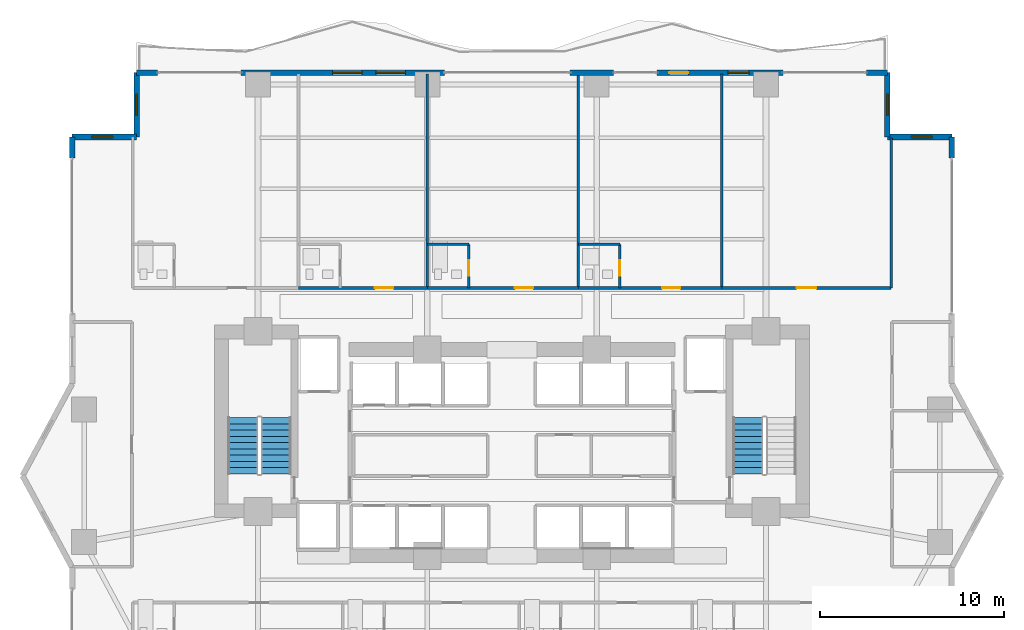
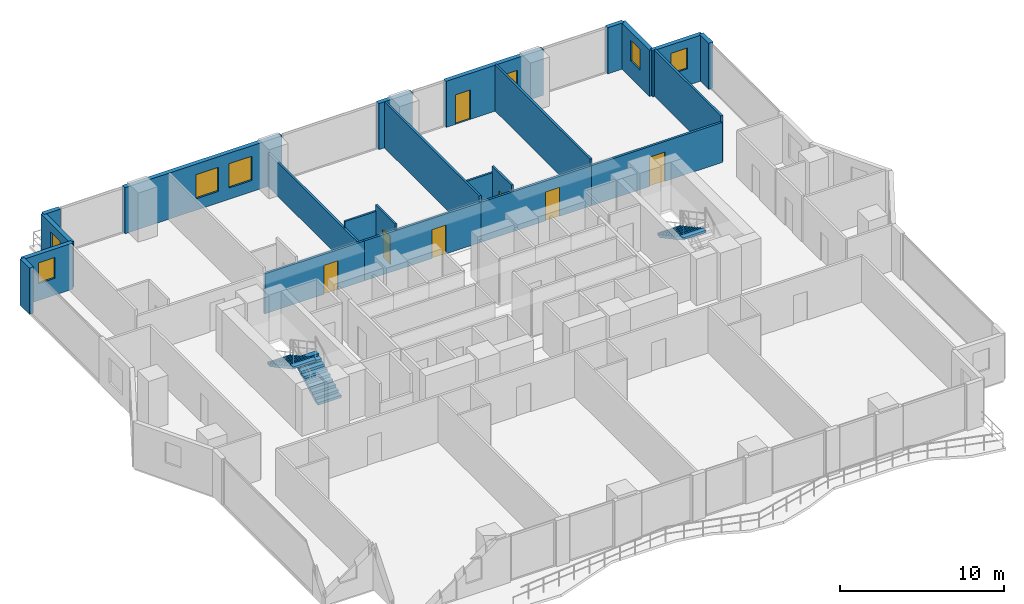
# One storey, part 23 of 28: 23 walls, 7 doors, 7 windows, 3 stair flights, 14 openings, 2 elements without a shape of their own.
"""IFC4 building model written with IfcOpenShell, lengths in metres."""

from ifc_helpers import new_model, si_unit, direction, frame, frame_2d, origin, place, context, subcontext, project, spatial, polyline, rectangle, outline, extrude, material, layer, layer_set, type_object, element, fill, aggregate, save


model = new_model("IFC4")

# Units and contexts
model_context = context("Model", 3, precision=1e-05, world=origin(), true_north=direction((0.0, 1.0)))
body_context = subcontext(model_context, "Body", "Model", "MODEL_VIEW")
ifc_project = project(units=[si_unit("LENGTHUNIT", "METRE"), si_unit("AREAUNIT", "SQUARE_METRE"), si_unit("VOLUMEUNIT", "CUBIC_METRE"), si_unit("PLANEANGLEUNIT", "RADIAN"), si_unit("MASSUNIT", "GRAM", prefix="KILO")], contexts=[model_context])

# Site, building, storey
site_placement = place(None, origin())
site = spatial("IfcSite", under=ifc_project, at=site_placement, CompositionType="ELEMENT")
building_placement = place(site_placement, origin())
building = spatial("IfcBuilding", under=site, at=building_placement, Name="Zuhayl Quay Hotel", CompositionType="ELEMENT")
storey_placement = place(building_placement, frame((0.0, 0.0, 121.199951171875)))
storey = spatial("IfcBuildingStorey", under=building, at=storey_placement, Name="L30", CompositionType="ELEMENT", Elevation=121.199951171875)

# Wall
ifc_material_1 = material(Name="Precast concrete C45/55", Category="concrete")
ifc_layer_1 = layer(ifc_material_1, 0.300048828125, Name="Precast concrete C45/55", Category="concrete")
ifc_layer_set_1 = layer_set([ifc_layer_1], Name="Precast concrete C45/55")
wall_type_1 = type_object("IfcWallType", Name="WL_EXT_300", PredefinedType="STANDARD", material=ifc_layer_set_1)
wall_1_placement = place(storey_placement, frame((-23.89990234375, 23.75, 0.0), z_axis=(0.0, 0.0, 1.0), x_axis=(0.0, 1.0, 0.0)))
element("IfcWall", 1, at=wall_1_placement, inside=storey, type_object=wall_type_1, Name="L30 Exterior Precast Wall ENV_L30_E05_EW2", PredefinedType="STANDARD", context=body_context, shape_type="SweptSolid", body=[
    extrude(rectangle(XDim=1.14990234375, YDim=0.300048828125, at=frame_2d((0.574951171875, 0.0))), origin(), (0.0, 0.0, 1.0), 3.429931640625),
])

# Wall, opening, window
wall_2_placement = place(storey_placement, frame((-23.89990234375, 24.89990234375, 0.0), z_axis=(0.0, 0.0, 1.0), x_axis=(1.0, 0.0, 0.0)))
wall_2 = element("IfcWall", 2, at=wall_2_placement, inside=storey, type_object=wall_type_1, Name="L30 Exterior Precast Wall ENV_L30_EW06", PredefinedType="STANDARD", context=body_context, shape_type="SweptSolid", body=[
    extrude(rectangle(XDim=3.5, YDim=0.300048828125, at=frame_2d((1.75, 0.0))), origin(), (0.0, 0.0, 1.0), 3.429931640625),
])
opening_1_placement = place(wall_2_placement, frame((1.06494140625, 0.0, 1.25)))
opening_1 = element("IfcOpeningElement", 3, at=opening_1_placement, cuts=wall_2, Name="Opening W01N", PredefinedType="OPENING", context=body_context, shape_type="SweptSolid", body=[
    extrude(rectangle(XDim=1.14990234375, YDim=1.550048828125, at=frame_2d((0.574951171875, 0.77490234375))), frame((0.0, 0.159912109375, 0.0), z_axis=(0.0, -1.0, 0.0), x_axis=(1.0, 0.0, 0.0)), (0.0, 0.0, 1.0), 0.320068359375),
])
ifc_material_2 = material(Name="Dark Ceramic-Fritted Solar Glass", Category="glass")
window_type_1 = type_object("IfcWindowType", Name="WN_NOTCH_1350", PartitioningType="SINGLE_PANEL", PredefinedType="WINDOW", material=ifc_material_2)
window_1_placement = place(opening_1_placement, origin())
window_1 = element("IfcWindow", 4, at=window_1_placement, inside=storey, type_object=window_type_1, Name="L30 Corner Notch Window 6", OverallHeight=1.550048828125, OverallWidth=1.14990234375, PartitioningType="SINGLE_PANEL", PredefinedType="WINDOW", context=body_context, shape_type="SweptSolid", body=[
    extrude(rectangle(XDim=1.14990234375, YDim=1.550048828125, at=frame_2d((0.574951171875, 0.77490234375))), frame((0.0, 0.030029296875, 0.0), z_axis=(0.0, -1.0, 0.0), x_axis=(1.0, 0.0, 0.0)), (0.0, 0.0, 1.0), 0.06005859375),
])
fill(opening_1, window_1)

wall_3_placement = place(storey_placement, frame((-20.39990234375, 24.89990234375, 0.0), z_axis=(0.0, 0.0, 1.0), x_axis=(0.0, 1.0, 0.0)))
wall_3 = element("IfcWall", 5, at=wall_3_placement, inside=storey, type_object=wall_type_1, Name="L30 Exterior Precast Wall ENV_L30_EW07", PredefinedType="STANDARD", context=body_context, shape_type="SweptSolid", body=[
    extrude(rectangle(XDim=3.5, YDim=0.300048828125, at=frame_2d((1.75, 0.0))), origin(), (0.0, 0.0, 1.0), 3.429931640625),
])
opening_2_placement = place(wall_3_placement, frame((1.18505859375, 0.0, 1.25)))
opening_2 = element("IfcOpeningElement", 6, at=opening_2_placement, cuts=wall_3, Name="Opening W01N", PredefinedType="OPENING", context=body_context, shape_type="SweptSolid", body=[
    extrude(rectangle(XDim=1.14990234375, YDim=1.550048828125, at=frame_2d((0.574951171875, 0.77490234375))), frame((0.0, 0.159912109375, 0.0), z_axis=(0.0, -1.0, 0.0), x_axis=(1.0, 0.0, 0.0)), (0.0, 0.0, 1.0), 0.320068359375),
])
window_2_placement = place(opening_2_placement, origin())
window_2 = element("IfcWindow", 7, at=window_2_placement, inside=storey, type_object=window_type_1, Name="L30 Corner Notch Window 7", OverallHeight=1.550048828125, OverallWidth=1.14990234375, PartitioningType="SINGLE_PANEL", PredefinedType="WINDOW", context=body_context, shape_type="SweptSolid", body=[
    extrude(rectangle(XDim=1.14990234375, YDim=1.550048828125, at=frame_2d((0.574951171875, 0.77490234375))), frame((0.0, 0.030029296875, 0.0), z_axis=(0.0, -1.0, 0.0), x_axis=(1.0, 0.0, 0.0)), (0.0, 0.0, 1.0), 0.06005859375),
])
fill(opening_2, window_2)

# Wall
wall_4_placement = place(storey_placement, frame((-20.39990234375, 28.39990234375, 0.0), z_axis=(0.0, 0.0, 1.0), x_axis=(1.0, 0.0, 0.0)))
element("IfcWall", 8, at=wall_4_placement, inside=storey, type_object=wall_type_1, Name="L30 Exterior Precast Wall ENV_L30_N_EW1", PredefinedType="STANDARD", context=body_context, shape_type="SweptSolid", body=[
    extrude(rectangle(XDim=1.14990234375, YDim=0.300048828125, at=frame_2d((0.574951171875, 0.0))), origin(), (0.0, 0.0, 1.0), 3.429931640625),
])

# Wall, openings, windows
wall_5_placement = place(storey_placement, frame((-14.719970703125, 28.39990234375, 0.0), z_axis=(0.0, 0.0, 1.0), x_axis=(1.0, 0.0, 0.0)))
wall_5 = element("IfcWall", 9, at=wall_5_placement, inside=storey, type_object=wall_type_1, Name="L30 Exterior Precast Wall ENV_L30_N_EW2", PredefinedType="STANDARD", context=body_context, shape_type="SweptSolid", body=[
    extrude(rectangle(XDim=11.0400390625, YDim=0.300048828125, at=frame_2d((5.52001953125, 0.0))), origin(), (0.0, 0.0, 1.0), 3.429931640625),
])
opening_3_placement = place(wall_5_placement, frame((4.97998046875, 0.0, 0.85009765625)))
opening_3 = element("IfcOpeningElement", 10, at=opening_3_placement, cuts=wall_5, Name="Opening W01", PredefinedType="OPENING", context=body_context, shape_type="SweptSolid", body=[
    extrude(rectangle(XDim=1.60009765625, YDim=1.800048828125, at=frame_2d((0.800048828125, 0.89990234375))), frame((0.0, 0.159912109375, 0.0), z_axis=(0.0, -1.0, 0.0), x_axis=(1.0, 0.0, 0.0)), (0.0, 0.0, 1.0), 0.320068359375),
])
opening_4_placement = place(wall_5_placement, frame((7.324951171875, 0.0, 0.85009765625)))
opening_4 = element("IfcOpeningElement", 11, at=opening_4_placement, cuts=wall_5, Name="Opening W01", PredefinedType="OPENING", context=body_context, shape_type="SweptSolid", body=[
    extrude(rectangle(XDim=1.60009765625, YDim=1.800048828125, at=frame_2d((0.800048828125, 0.89990234375))), frame((0.0, 0.159912109375, 0.0), z_axis=(0.0, -1.0, 0.0), x_axis=(1.0, 0.0, 0.0)), (0.0, 0.0, 1.0), 0.320068359375),
])
window_type_2 = type_object("IfcWindowType", Name="WN_OPERABLE_1600", PartitioningType="DOUBLE_PANEL_VERTICAL", PredefinedType="WINDOW", material=ifc_material_2)
window_3_placement = place(opening_3_placement, origin())
window_3 = element("IfcWindow", 12, at=window_3_placement, inside=storey, type_object=window_type_2, Name="L30 North Operable Casement Window", OverallHeight=1.800048828125, OverallWidth=1.60009765625, PartitioningType="SINGLE_PANEL", PredefinedType="WINDOW", context=body_context, shape_type="SweptSolid", body=[
    extrude(rectangle(XDim=1.60009765625, YDim=1.800048828125, at=frame_2d((0.800048828125, 0.89990234375))), frame((0.0, 0.030029296875, 0.0), z_axis=(0.0, -1.0, 0.0), x_axis=(1.0, 0.0, 0.0)), (0.0, 0.0, 1.0), 0.06005859375),
])
fill(opening_3, window_3)
window_4_placement = place(opening_4_placement, origin())
window_4 = element("IfcWindow", 13, at=window_4_placement, inside=storey, type_object=window_type_2, Name="L30 Operable Facade Window 2-1", OverallHeight=1.800048828125, OverallWidth=1.60009765625, PartitioningType="SINGLE_PANEL", PredefinedType="WINDOW", context=body_context, shape_type="SweptSolid", body=[
    extrude(rectangle(XDim=1.60009765625, YDim=1.800048828125, at=frame_2d((0.800048828125, 0.89990234375))), frame((0.0, 0.030029296875, 0.0), z_axis=(0.0, -1.0, 0.0), x_axis=(1.0, 0.0, 0.0)), (0.0, 0.0, 1.0), 0.06005859375),
])
fill(opening_4, window_4)

# Wall
wall_6_placement = place(storey_placement, frame((3.14990234375, 28.39990234375, 0.0), z_axis=(0.0, 0.0, 1.0), x_axis=(1.0, 0.0, 0.0)))
element("IfcWall", 14, at=wall_6_placement, inside=storey, type_object=wall_type_1, Name="L30 Exterior Precast Wall ENV_L30_N_EW3", PredefinedType="STANDARD", context=body_context, shape_type="SweptSolid", body=[
    extrude(rectangle(XDim=2.3701171875, YDim=0.300048828125, at=frame_2d((1.18505859375, 0.0))), origin(), (0.0, 0.0, 1.0), 3.429931640625),
])

# Wall, openings, door, window
wall_7_placement = place(storey_placement, frame((7.885009765625, 28.39990234375, 0.0), z_axis=(0.0, 0.0, 1.0), x_axis=(1.0, 0.0, 0.0)))
wall_7 = element("IfcWall", 15, at=wall_7_placement, inside=storey, type_object=wall_type_1, Name="L30 Exterior Precast Wall ENV_L30_N_EW4", PredefinedType="STANDARD", context=body_context, shape_type="SweptSolid", body=[
    extrude(rectangle(XDim=6.8349609375, YDim=0.300048828125, at=frame_2d((3.41748046875, 0.0))), origin(), (0.0, 0.0, 1.0), 3.429931640625),
])
opening_5_placement = place(wall_7_placement, frame((0.64990234375, 0.0, 0.0)))
opening_5 = element("IfcOpeningElement", 16, at=opening_5_placement, cuts=wall_7, Name="Opening DG1", PredefinedType="OPENING", context=body_context, shape_type="SweptSolid", body=[
    extrude(rectangle(XDim=1.050048828125, YDim=2.199951171875, at=frame_2d((0.52490234375, 1.10009765625))), frame((0.0, 0.159912109375, 0.0), z_axis=(0.0, -1.0, 0.0), x_axis=(1.0, 0.0, 0.0)), (0.0, 0.0, 1.0), 0.320068359375),
])
opening_6_placement = place(wall_7_placement, frame((3.85009765625, 0.0, 0.949951171875)))
opening_6 = element("IfcOpeningElement", 17, at=opening_6_placement, cuts=wall_7, Name="Opening W01N", PredefinedType="OPENING", context=body_context, shape_type="SweptSolid", body=[
    extrude(rectangle(XDim=1.14990234375, YDim=1.550048828125, at=frame_2d((0.574951171875, 0.77490234375))), frame((0.0, 0.159912109375, 0.0), z_axis=(0.0, -1.0, 0.0), x_axis=(1.0, 0.0, 0.0)), (0.0, 0.0, 1.0), 0.320068359375),
])
ifc_material_3 = material(Name="Anodised Aluminium and Dark Solar Glass", Category="aluminium")
door_type_1 = type_object("IfcDoorType", Name="DR_EXT_TERR_1050", OperationType="NOTDEFINED", PredefinedType="DOOR", material=ifc_material_3)
door_1_placement = place(opening_5_placement, origin())
door_1 = element("IfcDoor", 18, at=door_1_placement, inside=storey, type_object=door_type_1, Name="L30 North Rippling Balcony Door", OperationType="SINGLE_SWING_LEFT", OverallHeight=2.199951171875, OverallWidth=1.050048828125, PredefinedType="DOOR", context=body_context, shape_type="SweptSolid", body=[
    extrude(rectangle(XDim=1.050048828125, YDim=2.199951171875, at=frame_2d((0.52490234375, 1.10009765625))), frame((0.0, 0.02490234375, 0.0), z_axis=(0.0, -1.0, 0.0), x_axis=(1.0, 0.0, 0.0)), (0.0, 0.0, 1.0), 0.050048828125),
])
fill(opening_5, door_1)
window_5_placement = place(opening_6_placement, origin())
window_5 = element("IfcWindow", 19, at=window_5_placement, inside=storey, type_object=window_type_1, Name="L30 Operable Facade Window 4-1", OverallHeight=1.550048828125, OverallWidth=1.14990234375, PartitioningType="SINGLE_PANEL", PredefinedType="WINDOW", context=body_context, shape_type="SweptSolid", body=[
    extrude(rectangle(XDim=1.14990234375, YDim=1.550048828125, at=frame_2d((0.574951171875, 0.77490234375))), frame((0.0, 0.030029296875, 0.0), z_axis=(0.0, -1.0, 0.0), x_axis=(1.0, 0.0, 0.0)), (0.0, 0.0, 1.0), 0.06005859375),
])
fill(opening_6, window_5)

# Wall
wall_8_placement = place(storey_placement, frame((19.25, 28.39990234375, 0.0), z_axis=(0.0, 0.0, 1.0), x_axis=(1.0, 0.0, 0.0)))
element("IfcWall", 20, at=wall_8_placement, inside=storey, type_object=wall_type_1, Name="L30 Exterior Precast Wall ENV_L30_N_EW5", PredefinedType="STANDARD", context=body_context, shape_type="SweptSolid", body=[
    extrude(rectangle(XDim=1.14990234375, YDim=0.300048828125, at=frame_2d((0.574951171875, 0.0))), origin(), (0.0, 0.0, 1.0), 3.429931640625),
])

# Wall, opening, window
wall_9_placement = place(storey_placement, frame((20.39990234375, 28.39990234375, 0.0), z_axis=(0.0, 0.0, 1.0), x_axis=(0.0, -1.0, 0.0)))
wall_9 = element("IfcWall", 21, at=wall_9_placement, inside=storey, type_object=wall_type_1, Name="L30 Exterior Precast Wall ENV_L30_EW09", PredefinedType="STANDARD", context=body_context, shape_type="SweptSolid", body=[
    extrude(rectangle(XDim=3.5, YDim=0.300048828125, at=frame_2d((1.75, 0.0))), origin(), (0.0, 0.0, 1.0), 3.429931640625),
])
opening_7_placement = place(wall_9_placement, frame((1.175048828125, 0.0, 1.25)))
opening_7 = element("IfcOpeningElement", 22, at=opening_7_placement, cuts=wall_9, Name="Opening W01N", PredefinedType="OPENING", context=body_context, shape_type="SweptSolid", body=[
    extrude(rectangle(XDim=1.14990234375, YDim=1.550048828125, at=frame_2d((0.574951171875, 0.77490234375))), frame((0.0, 0.159912109375, 0.0), z_axis=(0.0, -1.0, 0.0), x_axis=(1.0, 0.0, 0.0)), (0.0, 0.0, 1.0), 0.320068359375),
])
window_6_placement = place(opening_7_placement, origin())
window_6 = element("IfcWindow", 23, at=window_6_placement, inside=storey, type_object=window_type_1, Name="L30 Corner Notch Window 9", OverallHeight=1.550048828125, OverallWidth=1.14990234375, PartitioningType="SINGLE_PANEL", PredefinedType="WINDOW", context=body_context, shape_type="SweptSolid", body=[
    extrude(rectangle(XDim=1.14990234375, YDim=1.550048828125, at=frame_2d((0.574951171875, 0.77490234375))), frame((0.0, 0.030029296875, 0.0), z_axis=(0.0, -1.0, 0.0), x_axis=(1.0, 0.0, 0.0)), (0.0, 0.0, 1.0), 0.06005859375),
])
fill(opening_7, window_6)

wall_10_placement = place(storey_placement, frame((20.39990234375, 24.89990234375, 0.0), z_axis=(0.0, 0.0, 1.0), x_axis=(1.0, 0.0, 0.0)))
wall_10 = element("IfcWall", 24, at=wall_10_placement, inside=storey, type_object=wall_type_1, Name="L30 Exterior Precast Wall ENV_L30_EW10", PredefinedType="STANDARD", context=body_context, shape_type="SweptSolid", body=[
    extrude(rectangle(XDim=3.5, YDim=0.300048828125, at=frame_2d((1.75, 0.0))), origin(), (0.0, 0.0, 1.0), 3.429931640625),
])
opening_8_placement = place(wall_10_placement, frame((1.284912109375, 0.0, 1.25)))
opening_8 = element("IfcOpeningElement", 25, at=opening_8_placement, cuts=wall_10, Name="Opening W01N", PredefinedType="OPENING", context=body_context, shape_type="SweptSolid", body=[
    extrude(rectangle(XDim=1.14990234375, YDim=1.550048828125, at=frame_2d((0.574951171875, 0.77490234375))), frame((0.0, 0.159912109375, 0.0), z_axis=(0.0, -1.0, 0.0), x_axis=(1.0, 0.0, 0.0)), (0.0, 0.0, 1.0), 0.320068359375),
])
window_7_placement = place(opening_8_placement, origin())
window_7 = element("IfcWindow", 26, at=window_7_placement, inside=storey, type_object=window_type_1, Name="L30 Corner Notch Window 10", OverallHeight=1.550048828125, OverallWidth=1.14990234375, PartitioningType="SINGLE_PANEL", PredefinedType="WINDOW", context=body_context, shape_type="SweptSolid", body=[
    extrude(rectangle(XDim=1.14990234375, YDim=1.550048828125, at=frame_2d((0.574951171875, 0.77490234375))), frame((0.0, 0.030029296875, 0.0), z_axis=(0.0, -1.0, 0.0), x_axis=(1.0, 0.0, 0.0)), (0.0, 0.0, 1.0), 0.06005859375),
])
fill(opening_8, window_7)

# Walls
wall_11_placement = place(storey_placement, frame((23.89990234375, 24.89990234375, 0.0), z_axis=(0.0, 0.0, 1.0), x_axis=(0.0, -1.0, 0.0)))
element("IfcWall", 27, at=wall_11_placement, inside=storey, type_object=wall_type_1, Name="L30 Exterior Precast Wall ENV_L30_E11_EW1", PredefinedType="STANDARD", context=body_context, shape_type="SweptSolid", body=[
    extrude(rectangle(XDim=1.14990234375, YDim=0.300048828125, at=frame_2d((0.574951171875, 0.0))), origin(), (0.0, 0.0, 1.0), 3.429931640625),
])
ifc_material_4 = material(Name="Acoustic Gypsum Partition STC-58")
ifc_layer_2 = layer(ifc_material_4, 0.14990234375, Name="Acoustic Gypsum Partition STC-58")
ifc_layer_set_2 = layer_set([ifc_layer_2], Name="Acoustic Gypsum Partition STC-58")
wall_type_2 = type_object("IfcWallType", Name="WL_PART_150", PredefinedType="PARTITIONING", material=ifc_layer_set_2)
wall_12_placement = place(storey_placement, frame((-4.60009765625, 16.699951171875, 0.0), z_axis=(0.0, 0.0, 1.0), x_axis=(0.0, 1.0, 0.0)))
element("IfcWall", 28, at=wall_12_placement, inside=storey, type_object=wall_type_2, Name="L30 Partition IW_L30_NU02_E", PredefinedType="PARTITIONING", context=body_context, shape_type="SweptSolid", body=[
    extrude(rectangle(XDim=11.6201171875, YDim=0.14990234375, at=frame_2d((5.81005859375, 0.0))), origin(), (0.0, 0.0, 1.0), 2.5029296875),
])
for number, where, z_axis, x_axis, name in (
    (29, (3.60009765625, 16.699951171875, 0.0), (0.0, 0.0, 1.0), (0.0, 1.0, 0.0), "L30 Partition IW_L30_NU03_E"),
    (30, (11.39990234375, 16.699951171875, 0.0), (0.0, 0.0, 1.0), (0.0, 1.0, 0.0), "L30 Partition IW_L30_NU04_E"),
):
    element("IfcWall", number, at=place(storey_placement, frame(where, z_axis=z_axis, x_axis=x_axis)), inside=storey, type_object=wall_type_2, Name=name, PredefinedType="PARTITIONING", context=body_context, shape_type="SweptSolid", body=[
        extrude(rectangle(XDim=11.6201171875, YDim=0.14990234375, at=frame_2d((5.81005859375, 0.0))), origin(), (0.0, 0.0, 1.0), 3.429931640625),
    ])
wall_13_placement = place(storey_placement, frame((20.60009765625, 16.699951171875, 0.0), z_axis=(0.0, 0.0, 1.0), x_axis=(0.0, 1.0, 0.0)))
element("IfcWall", 31, at=wall_13_placement, inside=storey, type_object=wall_type_2, Name="L30 Partition IW_L30_NSAL_4_E", PredefinedType="PARTITIONING", context=body_context, shape_type="SweptSolid", body=[
    extrude(rectangle(XDim=8.14013671875, YDim=0.14990234375, at=frame_2d((4.070068359375, 0.0))), origin(), (0.0, 0.0, 1.0), 3.429931640625),
])

# Wall, opening, door
ifc_layer_3 = layer(ifc_material_4, 0.159912109375, Name="Acoustic Gypsum Partition STC-58")
ifc_layer_set_3 = layer_set([ifc_layer_3], Name="Acoustic Gypsum Partition STC-58")
wall_type_3 = type_object("IfcWallType", Name="WL_PART_CORR_160", PredefinedType="PARTITIONING", material=ifc_layer_set_3)
wall_14_placement = place(storey_placement, frame((-11.60009765625, 16.699951171875, 0.0), z_axis=(0.0, 0.0, 1.0), x_axis=(1.0, 0.0, 0.0)))
wall_14 = element("IfcWall", 32, at=wall_14_placement, inside=storey, type_object=wall_type_3, Name="L30 Partition IW_L30_NU02_COR", PredefinedType="PARTITIONING", context=body_context, shape_type="SweptSolid", body=[
    extrude(rectangle(XDim=7.0, YDim=0.159912109375, at=frame_2d((3.5, 0.0))), origin(), (0.0, 0.0, 1.0), 2.97314453125),
])
opening_9_placement = place(wall_14_placement, frame((4.14990234375, 0.0, 0.0)))
opening_9 = element("IfcOpeningElement", 33, at=opening_9_placement, cuts=wall_14, Name="Opening D03L", PredefinedType="OPENING", context=body_context, shape_type="SweptSolid", body=[
    extrude(rectangle(XDim=1.0, YDim=2.14990234375, at=frame_2d((0.5, 1.074951171875))), frame((0.0, 0.08984375, 0.0), z_axis=(0.0, -1.0, 0.0), x_axis=(1.0, 0.0, 0.0)), (0.0, 0.0, 1.0), 0.179931640625),
])
ifc_material_5 = material(Name="Solid Walnut Acoustic Fire Door")
door_type_2 = type_object("IfcDoorType", Name="DR_SUITE_1000", OperationType="NOTDEFINED", PredefinedType="DOOR", material=ifc_material_5)
door_2_placement = place(opening_9_placement, origin())
door_2 = element("IfcDoor", 34, at=door_2_placement, inside=storey, type_object=door_type_2, Name="L30 Executive Suite L30-02 Entrance Door", OperationType="SINGLE_SWING_LEFT", OverallHeight=2.14990234375, OverallWidth=1.0, PredefinedType="DOOR", context=body_context, shape_type="SweptSolid", body=[
    extrude(rectangle(XDim=1.0, YDim=2.14990234375, at=frame_2d((0.5, 1.074951171875))), frame((0.0, 0.02490234375, 0.0), z_axis=(0.0, -1.0, 0.0), x_axis=(1.0, 0.0, 0.0)), (0.0, 0.0, 1.0), 0.050048828125),
])
fill(opening_9, door_2)

wall_15_placement = place(storey_placement, frame((-4.60009765625, 16.699951171875, 0.0), z_axis=(0.0, 0.0, 1.0), x_axis=(1.0, 0.0, 0.0)))
wall_15 = element("IfcWall", 35, at=wall_15_placement, inside=storey, type_object=wall_type_3, Name="L30 Partition IW_L30_NU03_COR", PredefinedType="PARTITIONING", context=body_context, shape_type="SweptSolid", body=[
    extrude(rectangle(XDim=8.2001953125, YDim=0.159912109375, at=frame_2d((4.10009765625, 0.0))), origin(), (0.0, 0.0, 1.0), 2.97314453125),
])
opening_10_placement = place(wall_15_placement, frame((4.75, 0.0, 0.0)))
opening_10 = element("IfcOpeningElement", 36, at=opening_10_placement, cuts=wall_15, Name="Opening D03L", PredefinedType="OPENING", context=body_context, shape_type="SweptSolid", body=[
    extrude(rectangle(XDim=1.0, YDim=2.14990234375, at=frame_2d((0.5, 1.074951171875))), frame((0.0, 0.08984375, 0.0), z_axis=(0.0, -1.0, 0.0), x_axis=(1.0, 0.0, 0.0)), (0.0, 0.0, 1.0), 0.179931640625),
])
door_3_placement = place(opening_10_placement, origin())
door_3 = element("IfcDoor", 37, at=door_3_placement, inside=storey, type_object=door_type_2, Name="L30 Executive Suite L30-03 Entrance Door", OperationType="SINGLE_SWING_LEFT", OverallHeight=2.14990234375, OverallWidth=1.0, PredefinedType="DOOR", context=body_context, shape_type="SweptSolid", body=[
    extrude(rectangle(XDim=1.0, YDim=2.14990234375, at=frame_2d((0.5, 1.074951171875))), frame((0.0, 0.02490234375, 0.0), z_axis=(0.0, -1.0, 0.0), x_axis=(1.0, 0.0, 0.0)), (0.0, 0.0, 1.0), 0.050048828125),
])
fill(opening_10, door_3)

wall_16_placement = place(storey_placement, frame((3.60009765625, 16.699951171875, 0.0), z_axis=(0.0, 0.0, 1.0), x_axis=(1.0, 0.0, 0.0)))
wall_16 = element("IfcWall", 38, at=wall_16_placement, inside=storey, type_object=wall_type_3, Name="L30 Partition IW_L30_NU04_COR", PredefinedType="PARTITIONING", context=body_context, shape_type="SweptSolid", body=[
    extrude(rectangle(XDim=7.7998046875, YDim=0.159912109375, at=frame_2d((3.89990234375, 0.0))), origin(), (0.0, 0.0, 1.0), 2.97314453125),
])
opening_11_placement = place(wall_16_placement, frame((4.550048828125, 0.0, 0.0)))
opening_11 = element("IfcOpeningElement", 39, at=opening_11_placement, cuts=wall_16, Name="Opening D03L", PredefinedType="OPENING", context=body_context, shape_type="SweptSolid", body=[
    extrude(rectangle(XDim=1.0, YDim=2.14990234375, at=frame_2d((0.5, 1.074951171875))), frame((0.0, 0.08984375, 0.0), z_axis=(0.0, -1.0, 0.0), x_axis=(1.0, 0.0, 0.0)), (0.0, 0.0, 1.0), 0.179931640625),
])
door_4_placement = place(opening_11_placement, origin())
door_4 = element("IfcDoor", 40, at=door_4_placement, inside=storey, type_object=door_type_2, Name="L30 Executive Suite L30-04 Entrance Door", OperationType="SINGLE_SWING_LEFT", OverallHeight=2.14990234375, OverallWidth=1.0, PredefinedType="DOOR", context=body_context, shape_type="SweptSolid", body=[
    extrude(rectangle(XDim=1.0, YDim=2.14990234375, at=frame_2d((0.5, 1.074951171875))), frame((0.0, 0.02490234375, 0.0), z_axis=(0.0, -1.0, 0.0), x_axis=(1.0, 0.0, 0.0)), (0.0, 0.0, 1.0), 0.050048828125),
])
fill(opening_11, door_4)

wall_17_placement = place(storey_placement, frame((11.39990234375, 16.699951171875, 0.0), z_axis=(0.0, 0.0, 1.0), x_axis=(1.0, 0.0, 0.0)))
wall_17 = element("IfcWall", 41, at=wall_17_placement, inside=storey, type_object=wall_type_3, Name="L30 Partition IW_L30_NSAL_4_S", PredefinedType="PARTITIONING", context=body_context, shape_type="SweptSolid", body=[
    extrude(rectangle(XDim=9.2001953125, YDim=0.159912109375, at=frame_2d((4.60009765625, 0.0))), origin(), (0.0, 0.0, 1.0), 2.97314453125),
])
opening_12_placement = place(wall_17_placement, frame((4.06005859375, 0.0, 0.0)))
opening_12 = element("IfcOpeningElement", 42, at=opening_12_placement, cuts=wall_17, Name="Opening D05A", PredefinedType="OPENING", context=body_context, shape_type="SweptSolid", body=[
    extrude(rectangle(XDim=1.080078125, YDim=2.179931640625, at=frame_2d((0.5400390625, 1.08984375))), frame((0.0, 0.08984375, 0.0), z_axis=(0.0, -1.0, 0.0), x_axis=(1.0, 0.0, 0.0)), (0.0, 0.0, 1.0), 0.179931640625),
])
door_type_3 = type_object("IfcDoorType", Name="DR_INT_1100", OperationType="NOTDEFINED", PredefinedType="DOOR", material=ifc_material_5)
door_5_placement = place(opening_12_placement, origin())
door_5 = element("IfcDoor", 43, at=door_5_placement, inside=storey, type_object=door_type_3, Name="L30 Executive Business Office Door", OperationType="SINGLE_SWING_RIGHT", OverallHeight=2.179931640625, OverallWidth=1.080078125, PredefinedType="DOOR", context=body_context, shape_type="SweptSolid", body=[
    extrude(rectangle(XDim=1.080078125, YDim=2.179931640625, at=frame_2d((0.5400390625, 1.08984375))), frame((0.0, 0.02490234375, 0.0), z_axis=(0.0, -1.0, 0.0), x_axis=(1.0, 0.0, 0.0)), (0.0, 0.0, 1.0), 0.050048828125),
])
fill(opening_12, door_5)

ifc_material_6 = material(Name="Moisture-Resistant Sanitarychase Gypsum")
ifc_layer_4 = layer(ifc_material_6, 0.135009765625, Name="Moisture-Resistant Sanitarychase Gypsum")
ifc_layer_set_4 = layer_set([ifc_layer_4], Name="Moisture-Resistant Sanitarychase Gypsum")
wall_type_4 = type_object("IfcWallType", Name="WL_PART_PLUMB_150", PredefinedType="PLUMBINGWALL", material=ifc_layer_set_4)
wall_18_placement = place(storey_placement, frame((-2.340087890625, 16.699951171875, 0.0), z_axis=(0.0, 0.0, 1.0), x_axis=(0.0, 1.0, 0.0)))
wall_18 = element("IfcWall", 44, at=wall_18_placement, inside=storey, type_object=wall_type_4, Name="L30 Partition IW_L30_NU03_BE", PredefinedType="PLUMBINGWALL", context=body_context, shape_type="SweptSolid", body=[
    extrude(rectangle(XDim=2.360107421875, YDim=0.135009765625, at=frame_2d((1.18017578125, 0.0))), origin(), (0.0, 0.0, 1.0), 3.429931640625),
])
opening_13_placement = place(wall_18_placement, frame((0.64990234375, 0.0, 0.0)))
opening_13 = element("IfcOpeningElement", 45, at=opening_13_placement, cuts=wall_18, Name="Opening D04", PredefinedType="OPENING", context=body_context, shape_type="SweptSolid", body=[
    extrude(rectangle(XDim=0.85009765625, YDim=2.10009765625, at=frame_2d((0.425048828125, 1.050048828125))), frame((0.0, 0.077392578125, 0.0), z_axis=(0.0, -1.0, 0.0), x_axis=(1.0, 0.0, 0.0)), (0.0, 0.0, 1.0), 0.155029296875),
])
ifc_material_7 = material(Name="Moisture-Resistant Walnut Veneer")
door_type_4 = type_object("IfcDoorType", Name="DR_BATH_850", OperationType="NOTDEFINED", PredefinedType="DOOR", material=ifc_material_7)
door_6_placement = place(opening_13_placement, origin())
door_6 = element("IfcDoor", 46, at=door_6_placement, inside=storey, type_object=door_type_4, Name="L30 Executive Suite L30-03 En-Suite Door", OperationType="SINGLE_SWING_RIGHT", OverallHeight=2.10009765625, OverallWidth=0.85009765625, PredefinedType="DOOR", context=body_context, shape_type="SweptSolid", body=[
    extrude(rectangle(XDim=0.85009765625, YDim=2.10009765625, at=frame_2d((0.425048828125, 1.050048828125))), frame((0.0, 0.02490234375, 0.0), z_axis=(0.0, -1.0, 0.0), x_axis=(1.0, 0.0, 0.0)), (0.0, 0.0, 1.0), 0.050048828125),
])
fill(opening_13, door_6)

wall_19_placement = place(storey_placement, frame((5.860107421875, 16.699951171875, 0.0), z_axis=(0.0, 0.0, 1.0), x_axis=(0.0, 1.0, 0.0)))
wall_19 = element("IfcWall", 47, at=wall_19_placement, inside=storey, type_object=wall_type_4, Name="L30 Partition IW_L30_NU04_BE", PredefinedType="PLUMBINGWALL", context=body_context, shape_type="SweptSolid", body=[
    extrude(rectangle(XDim=2.360107421875, YDim=0.135009765625, at=frame_2d((1.18017578125, 0.0))), origin(), (0.0, 0.0, 1.0), 3.429931640625),
])
opening_14_placement = place(wall_19_placement, frame((0.64990234375, 0.0, 0.0)))
opening_14 = element("IfcOpeningElement", 48, at=opening_14_placement, cuts=wall_19, Name="Opening D04", PredefinedType="OPENING", context=body_context, shape_type="SweptSolid", body=[
    extrude(rectangle(XDim=0.85009765625, YDim=2.10009765625, at=frame_2d((0.425048828125, 1.050048828125))), frame((0.0, 0.077392578125, 0.0), z_axis=(0.0, -1.0, 0.0), x_axis=(1.0, 0.0, 0.0)), (0.0, 0.0, 1.0), 0.155029296875),
])
door_7_placement = place(opening_14_placement, origin())
door_7 = element("IfcDoor", 49, at=door_7_placement, inside=storey, type_object=door_type_4, Name="L30 Executive Suite L30-04 En-Suite Door", OperationType="SINGLE_SWING_RIGHT", OverallHeight=2.10009765625, OverallWidth=0.85009765625, PredefinedType="DOOR", context=body_context, shape_type="SweptSolid", body=[
    extrude(rectangle(XDim=0.85009765625, YDim=2.10009765625, at=frame_2d((0.425048828125, 1.050048828125))), frame((0.0, 0.02490234375, 0.0), z_axis=(0.0, -1.0, 0.0), x_axis=(1.0, 0.0, 0.0)), (0.0, 0.0, 1.0), 0.050048828125),
])
fill(opening_14, door_7)

# Walls
for number, where, z_axis, x_axis, name in (
    (50, (-4.60009765625, 19.06005859375, 0.0), (0.0, 0.0, 1.0), (1.0, 0.0, 0.0), "L30 Partition IW_L30_NU03_BN"),
    (51, (3.60009765625, 19.06005859375, 0.0), (0.0, 0.0, 1.0), (1.0, 0.0, 0.0), "L30 Partition IW_L30_NU04_BN"),
):
    element("IfcWall", number, at=place(storey_placement, frame(where, z_axis=z_axis, x_axis=x_axis)), inside=storey, type_object=wall_type_4, Name=name, PredefinedType="PLUMBINGWALL", context=body_context, shape_type="SweptSolid", body=[
        extrude(rectangle(XDim=2.260009765625, YDim=0.135009765625, at=frame_2d((1.1298828125, 0.0))), origin(), (0.0, 0.0, 1.0), 2.97314453125),
    ])

# Stair, stair flights
ifc_material_8 = material(Name="Concrete C45/55", Category="concrete")
stair_type = type_object("IfcStairType", Name="ST_DOGLEG_TOWER", PredefinedType="HALF_TURN_STAIR", material=ifc_material_8)
stair_1_placement = place(storey_placement, origin())
stair_1 = element("IfcStair", 52, at=stair_1_placement, inside=storey, type_object=stair_type, Name="L30 Smokeproof Exit Stair ST1", PredefinedType="HALF_TURN_STAIR")
ifc_layer_5 = layer(ifc_material_8, 0.159912109375, Name="Concrete C45/55", Category="concrete")
ifc_layer_set_5 = layer_set([ifc_layer_5], Name="Concrete C45/55")
stair_flight_type = type_object("IfcStairFlightType", Name="SF_CONC_164", PredefinedType="STRAIGHT", material=ifc_layer_set_5)
stair_flight_1_placement = place(storey_placement, frame((-12.820068359375, 6.590087890625, 0.0), z_axis=(0.0, 0.0, 1.0), x_axis=(0.0, 1.0, 0.0)))
stair_flight_1 = element("IfcStairFlight", 53, at=stair_flight_1_placement, type_object=stair_flight_type, Name="ST1 flight 1", NumberOfRisers=10, NumberOfTreads=9, PredefinedType="STRAIGHT", RiserHeight=0.1825, TreadLength=0.34, context=body_context, shape_type="SweptSolid", body=[
    extrude(outline(polyline([(0.0, 0.0), (0.0, 0.1826171875), (0.340087890625, 0.1826171875), (0.340087890625, 0.364990234375), (0.679931640625, 0.364990234375), (0.679931640625, 0.547607421875), (1.02001953125, 0.547607421875), (1.02001953125, 0.72998046875), (1.360107421875, 0.72998046875), (1.360107421875, 0.91259765625), (1.699951171875, 0.91259765625), (1.699951171875, 1.094970703125), (2.0400390625, 1.094970703125), (2.0400390625, 1.277587890625), (2.3798828125, 1.277587890625), (2.3798828125, 1.4599609375), (2.719970703125, 1.4599609375), (2.719970703125, 1.642578125), (3.06005859375, 1.642578125), (3.06005859375, 1.824951171875), (3.06005859375, 1.472412109375), (0.31689453125, 0.0), (0.0, 0.0)])), frame((0.0, 0.81982421875, 0.0), z_axis=(0.0, -1.0, 0.0), x_axis=(1.0, 0.0, 0.0)), (0.0, 0.0, 1.0), 1.639892578125),
])
stair_flight_2_placement = place(storey_placement, frame((-14.610107421875, 9.64990234375, 1.824951171875), z_axis=(0.0, 0.0, 1.0), x_axis=(0.0, -1.0, 0.0)))
stair_flight_2 = element("IfcStairFlight", 54, at=stair_flight_2_placement, type_object=stair_flight_type, Name="ST1 flight 2", NumberOfRisers=10, NumberOfTreads=9, PredefinedType="STRAIGHT", RiserHeight=0.1825, TreadLength=0.34, context=body_context, shape_type="SweptSolid", body=[
    extrude(outline(polyline([(0.0, 0.0), (0.0, 0.1826171875), (0.340087890625, 0.1826171875), (0.340087890625, 0.364990234375), (0.679931640625, 0.364990234375), (0.679931640625, 0.547607421875), (1.02001953125, 0.547607421875), (1.02001953125, 0.72998046875), (1.360107421875, 0.72998046875), (1.360107421875, 0.91259765625), (1.699951171875, 0.91259765625), (1.699951171875, 1.094970703125), (2.0400390625, 1.094970703125), (2.0400390625, 1.277587890625), (2.3798828125, 1.277587890625), (2.3798828125, 1.4599609375), (2.719970703125, 1.4599609375), (2.719970703125, 1.642578125), (3.06005859375, 1.642578125), (3.06005859375, 1.824951171875), (3.06005859375, 1.472412109375), (0.31689453125, 0.0), (0.0, 0.0)])), frame((0.0, 0.81982421875, 0.0), z_axis=(0.0, -1.0, 0.0), x_axis=(1.0, 0.0, 0.0)), (0.0, 0.0, 1.0), 1.639892578125),
])
aggregate(stair_1, [stair_flight_1, stair_flight_2])

# Stair, stair flight
stair_2_placement = place(storey_placement, origin())
stair_2 = element("IfcStair", 55, at=stair_2_placement, inside=storey, type_object=stair_type, Name="L30 Smokeproof Exit Stair ST2", PredefinedType="HALF_TURN_STAIR")
stair_flight_3_placement = place(storey_placement, frame((12.820068359375, 9.64990234375, 1.824951171875), z_axis=(0.0, 0.0, 1.0), x_axis=(0.0, -1.0, 0.0)))
stair_flight_3 = element("IfcStairFlight", 56, at=stair_flight_3_placement, type_object=stair_flight_type, Name="ST2 flight 2", NumberOfRisers=10, NumberOfTreads=9, PredefinedType="STRAIGHT", RiserHeight=0.1825, TreadLength=0.34, context=body_context, shape_type="SweptSolid", body=[
    extrude(outline(polyline([(0.0, 0.0), (0.0, 0.1826171875), (0.340087890625, 0.1826171875), (0.340087890625, 0.364990234375), (0.679931640625, 0.364990234375), (0.679931640625, 0.547607421875), (1.02001953125, 0.547607421875), (1.02001953125, 0.72998046875), (1.360107421875, 0.72998046875), (1.360107421875, 0.91259765625), (1.699951171875, 0.91259765625), (1.699951171875, 1.094970703125), (2.0400390625, 1.094970703125), (2.0400390625, 1.277587890625), (2.3798828125, 1.277587890625), (2.3798828125, 1.4599609375), (2.719970703125, 1.4599609375), (2.719970703125, 1.642578125), (3.06005859375, 1.642578125), (3.06005859375, 1.824951171875), (3.06005859375, 1.472412109375), (0.31689453125, 0.0), (0.0, 0.0)])), frame((0.0, 0.81982421875, 0.0), z_axis=(0.0, -1.0, 0.0), x_axis=(1.0, 0.0, 0.0)), (0.0, 0.0, 1.0), 1.639892578125),
])
aggregate(stair_2, [stair_flight_3])

save(model, "model.ifc")
